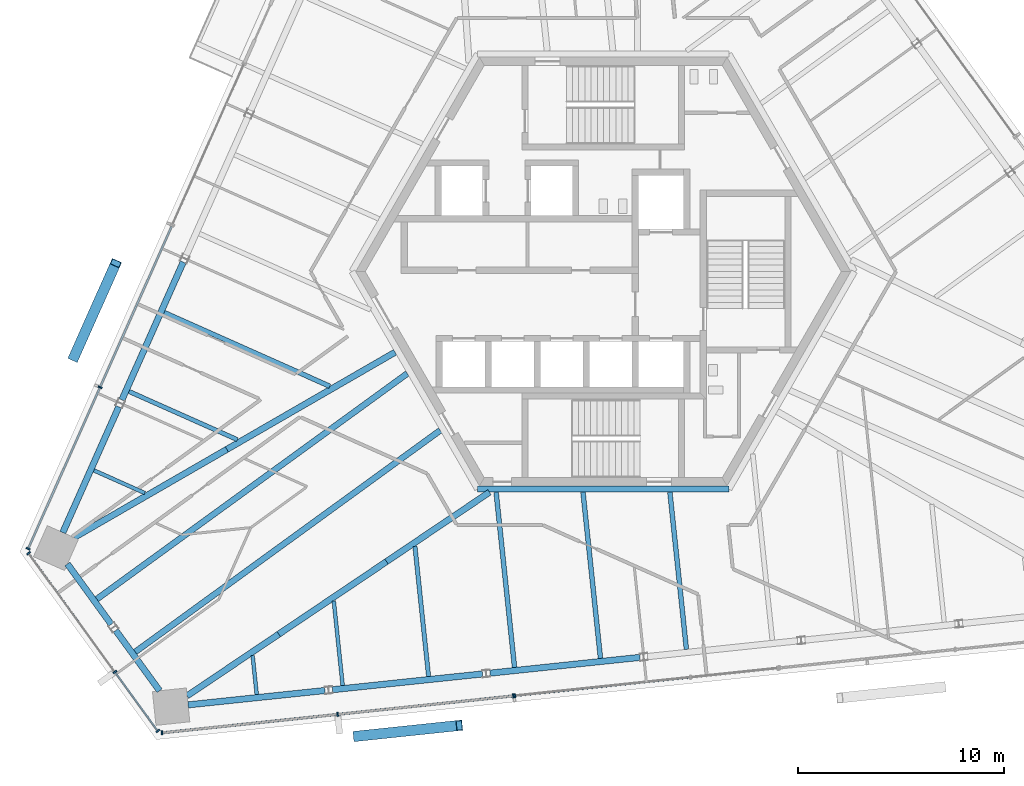
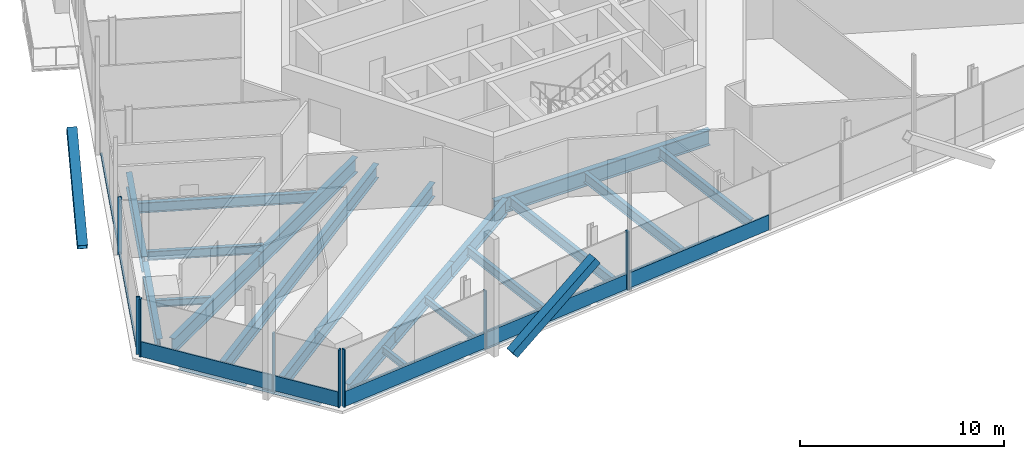
# One storey, part 4 of 20: 24 beams, 18 members, 4 elements without a shape of their own.
"""IFC4 building model written with IfcOpenShell, lengths in metres."""

from ifc_helpers import new_model, si_unit, direction, frame, origin, origin_2d, place, context, subcontext, project, spatial, rectangle, hollow_rectangle, i_section, extrude, source, transform, mapped, material, material_profile, profile_set, type_object, element, aggregate, save


model = new_model("IFC4")

# Units and contexts
model_context = context("Model", 3, precision=1e-05, world=origin(), true_north=direction((0.0, 1.0)))
body_context = subcontext(model_context, "Body", "Model", "MODEL_VIEW")
ifc_project = project(units=[si_unit("LENGTHUNIT", "METRE"), si_unit("AREAUNIT", "SQUARE_METRE"), si_unit("VOLUMEUNIT", "CUBIC_METRE"), si_unit("PLANEANGLEUNIT", "RADIAN"), si_unit("MASSUNIT", "GRAM", prefix="KILO")], contexts=[model_context])

# Site, building, storey
site_placement = place(None, origin())
site = spatial("IfcSite", under=ifc_project, at=site_placement, CompositionType="ELEMENT")
building_placement = place(site_placement, origin())
building = spatial("IfcBuilding", under=site, at=building_placement, Name="Triune Harvest Tower", CompositionType="ELEMENT")
storey_placement = place(building_placement, frame((0.0, 0.0, 226.89990234375)))
storey = spatial("IfcBuildingStorey", under=building, at=storey_placement, Name="L59", CompositionType="ELEMENT", Elevation=226.89990234375)

# Curtain wall, members
ifc_material_1 = material(Name="Aluminium bronze anodised", Category="aluminium")
curtain_wall_type_1 = type_object("IfcCurtainWallType", Name="CW-10 Balcony window wall with insulated spandrel infill", PredefinedType="NOTDEFINED", material=ifc_material_1)
curtain_wall_1_placement = place(storey_placement, origin())
curtain_wall_1 = element("IfcCurtainWall", 1, at=curtain_wall_1_placement, inside=storey, type_object=curtain_wall_type_1, Name="CW-10 B6-F3 L59 run 1002")
ifc_material_2 = material(Name="Aluminium bronze anodised", Category="aluminium")
ifc_material_profile_1 = material_profile(ifc_material_2, rectangle(XDim=0.090087890625, YDim=0.14990234375, at=origin_2d()), Name="TR-6 transom 90 x 150")
ifc_profile_set_1 = profile_set([ifc_material_profile_1], Name="Aluminium bronze anodised")
member_type_1 = type_object("IfcMemberType", Name="TR-6 transom 90 x 150", PredefinedType="USERDEFINED", material=ifc_profile_set_1)
member_1_placement = place(storey_placement, frame((-20.926025390625, 2.18017578125, 0.0751953125), z_axis=(-0.406725361128, -0.913550480606, 0.0), x_axis=(0.913550480606, -0.406725361128, 0.0)))
member_1 = element("IfcMember", 2, at=member_1_placement, type_object=member_type_1, Name="CW-10 transom B6-F3 1002.1", ObjectType="TRANSOM", PredefinedType="USERDEFINED", context=body_context, shape_type="SweptSolid", body=[
    extrude(rectangle(XDim=0.090087890625, YDim=0.14990234375, at=origin_2d()), origin(), (0.0, 0.0, 1.0), 8.489990234375),
])
member_2_placement = place(storey_placement, frame((-24.40966796875, -5.64453125, 0.0751953125), z_axis=(-0.406738674921, -0.913544553004, 0.0), x_axis=(0.913544553004, -0.406738674921, 0.0)))
member_2 = element("IfcMember", 3, at=member_2_placement, type_object=member_type_1, Name="CW-10 transom B6-F3 1002.2", ObjectType="TRANSOM", PredefinedType="USERDEFINED", context=body_context, shape_type="SweptSolid", body=[
    extrude(rectangle(XDim=0.090087890625, YDim=0.14990234375, at=origin_2d()), origin(), (0.0, 0.0, 1.0), 8.490478515625),
])

# Beams
ifc_material_3 = material(Name="Steel ASTM A992 Gr 50", Category="steel")
ifc_material_profile_2 = material_profile(ifc_material_3, i_section(OverallWidth=0.3046875, OverallDepth=0.914306640625, WebThickness=0.0166015625, FlangeThickness=0.02587890625, at=origin_2d()), Name="W36x160")
ifc_profile_set_2 = profile_set([ifc_material_profile_2], Name="Steel ASTM A992 Gr 50")
beam_type_1 = type_object("IfcBeamType", Name="CG-1 Core ring girder W36x160", PredefinedType="BEAM", material=ifc_profile_set_2)
shared_shape_1 = source(origin(), body_context, "Body", "SweptSolid", [
    extrude(i_section(OverallWidth=0.3046875, OverallDepth=0.914306640625, WebThickness=0.0166015625, FlangeThickness=0.02587890625, at=origin_2d()), origin(), (0.0, 0.0, 1.0), 12.17578125),
])
beam_1_placement = place(storey_placement, frame((-6.087890625, -10.544677734375, -0.6171875), z_axis=(1.0, 0.0, 0.0), x_axis=(0.0, 1.0, 0.0)))
element("IfcBeam", 4, at=beam_1_placement, inside=storey, type_object=beam_type_1, Name="beam/L59/CG5", PredefinedType="BEAM", context=body_context, shape_type="MappedRepresentation", body=[
    mapped(shared_shape_1, transform((0.0, 0.0, 0.0), scale=1.0)),
])
ifc_material_4 = material(Name="Steel ASTM A992 Gr 50", Category="steel")
ifc_material_profile_3 = material_profile(ifc_material_4, i_section(OverallWidth=0.3046875, OverallDepth=0.914306640625, WebThickness=0.0166015625, FlangeThickness=0.02587890625, at=origin_2d()), Name="W36x160")
ifc_profile_set_3 = profile_set([ifc_material_profile_3], Name="Steel ASTM A992 Gr 50")
beam_type_2 = type_object("IfcBeamType", Name="HG-3 Hip girder W36x160", PredefinedType="BEAM", material=ifc_profile_set_3)
shared_shape_2 = source(origin(), body_context, "Body", "SweptSolid", [
    extrude(i_section(OverallWidth=0.3046875, OverallDepth=0.914306640625, WebThickness=0.0166015625, FlangeThickness=0.02587890625, at=origin_2d()), origin(), (0.0, 0.0, 1.0), 9.416259765625),
])
beam_2_placement = place(storey_placement, frame((-18.247802734375, -8.62060546875, -0.6171875), z_axis=(0.866032742664, 0.499987288472, 0.0), x_axis=(-0.499987288472, 0.866032742664, 0.0)))
element("IfcBeam", 5, at=beam_2_placement, inside=storey, type_object=beam_type_2, Name="beam/L59/HG6", PredefinedType="BEAM", context=body_context, shape_type="MappedRepresentation", body=[
    mapped(shared_shape_2, transform((0.0, 0.0, 0.0), scale=1.0)),
])
shared_shape_3 = source(origin(), body_context, "Body", "SweptSolid", [
    extrude(i_section(OverallWidth=0.3046875, OverallDepth=0.914306640625, WebThickness=0.0166015625, FlangeThickness=0.02587890625, at=origin_2d()), origin(), (0.0, 0.0, 1.0), 6.293701171875),
])
beam_3_placement = place(storey_placement, frame((-15.72802734375, -17.576904296875, -0.6171875), z_axis=(0.829391075311, 0.558668456416, 0.0), x_axis=(-0.558668456416, 0.829391075311, 0.0)))
element("IfcBeam", 6, at=beam_3_placement, inside=storey, type_object=beam_type_2, Name="beam/L59/HG8", PredefinedType="BEAM", context=body_context, shape_type="MappedRepresentation", body=[
    mapped(shared_shape_3, transform((0.0, 0.0, 0.0), scale=1.0)),
])
shared_shape_4 = source(origin(), body_context, "Body", "SweptSolid", [
    extrude(i_section(OverallWidth=0.3046875, OverallDepth=0.914306640625, WebThickness=0.0166015625, FlangeThickness=0.02587890625, at=origin_2d()), origin(), (0.0, 0.0, 1.0), 6.02099609375),
])
beam_4_placement = place(storey_placement, frame((-10.508056640625, -14.060791015625, -0.6171875), z_axis=(0.829383245618, 0.558680080088, 0.0), x_axis=(-0.558680080088, 0.829383245618, 0.0)))
element("IfcBeam", 7, at=beam_4_placement, inside=storey, type_object=beam_type_2, Name="beam/L59/HG9", PredefinedType="BEAM", context=body_context, shape_type="MappedRepresentation", body=[
    mapped(shared_shape_4, transform((0.0, 0.0, 0.0), scale=1.0)),
])
ifc_material_5 = material(Name="Steel ASTM A992 Gr 50", Category="steel")
ifc_material_profile_4 = material_profile(ifc_material_5, i_section(OverallWidth=0.3046875, OverallDepth=0.914306640625, WebThickness=0.0166015625, FlangeThickness=0.02587890625, at=origin_2d()), Name="W36x160")
ifc_profile_set_4 = profile_set([ifc_material_profile_4], Name="Steel ASTM A992 Gr 50")
beam_type_3 = type_object("IfcBeamType", Name="SB-1 Spandrel beam W36x160", PredefinedType="SPANDREL", material=ifc_profile_set_4)
shared_shape_5 = source(origin(), body_context, "Body", "SweptSolid", [
    extrude(i_section(OverallWidth=0.3046875, OverallDepth=0.914306640625, WebThickness=0.0166015625, FlangeThickness=0.02587890625, at=origin_2d()), origin(), (0.0, 0.0, 1.0), 6.67041015625),
])
beam_5_placement = place(storey_placement, frame((-20.127685546875, -21.007080078125, -0.6171875), z_axis=(0.994521485501, 0.104532362822, 0.0), x_axis=(-0.104532362822, 0.994521485501, 0.0)))
element("IfcBeam", 8, at=beam_5_placement, inside=storey, type_object=beam_type_3, Name="beam/L59/SB17", PredefinedType="SPANDREL", context=body_context, shape_type="MappedRepresentation", body=[
    mapped(shared_shape_5, transform((0.0, 0.0, 0.0), scale=1.0)),
])
shared_shape_6 = source(origin(), body_context, "Body", "SweptSolid", [
    extrude(i_section(OverallWidth=0.3046875, OverallDepth=0.914306640625, WebThickness=0.0166015625, FlangeThickness=0.02587890625, at=origin_2d()), origin(), (0.0, 0.0, 1.0), 7.31103515625),
])
beam_6_placement = place(storey_placement, frame((-13.127685546875, -20.271240234375, -0.6171875), z_axis=(0.994522639393, 0.104521384101, 0.0), x_axis=(-0.104521384101, 0.994522639393, 0.0)))
element("IfcBeam", 9, at=beam_6_placement, inside=storey, type_object=beam_type_3, Name="beam/L59/SB18", PredefinedType="SPANDREL", context=body_context, shape_type="MappedRepresentation", body=[
    mapped(shared_shape_6, transform((0.0, 0.0, 0.0), scale=1.0)),
])
shared_shape_7 = source(origin(), body_context, "Body", "SweptSolid", [
    extrude(i_section(OverallWidth=0.3046875, OverallDepth=0.914306640625, WebThickness=0.0166015625, FlangeThickness=0.02587890625, at=origin_2d()), origin(), (0.0, 0.0, 1.0), 3.614990234375),
])
for number, where, z_axis, x_axis, name in (
    (10, (-25.974365234375, -14.175537109375, -0.6171875), (0.587818273033, -0.808993002373, 0.0), (0.808993002373, 0.587818273033, 0.0), "beam/L59/SB15"),
    (11, (-23.633056640625, -17.39794921875, -0.6171875), (0.587818273033, -0.808993002373, 0.0), (0.808993002373, 0.587818273033, 0.0), "beam/L59/SB16"),
):
    element("IfcBeam", number, at=place(storey_placement, frame(where, z_axis=z_axis, x_axis=x_axis)), inside=storey, type_object=beam_type_3, Name=name, PredefinedType="SPANDREL", context=body_context, shape_type="MappedRepresentation", body=[
        mapped(shared_shape_7, transform((0.0, 0.0, 0.0), scale=1.0)),
    ])
shared_shape_8 = source(origin(), body_context, "Body", "SweptSolid", [
    extrude(i_section(OverallWidth=0.3046875, OverallDepth=0.914306640625, WebThickness=0.0166015625, FlangeThickness=0.02587890625, at=origin_2d()), origin(), (0.0, 0.0, 1.0), 6.670166015625),
])
beam_7_placement = place(storey_placement, frame((-23.485595703125, -6.5576171875, -0.6171875), z_axis=(-0.406722507275, -0.913551751176, 0.0), x_axis=(0.913551751176, -0.406722507275, 0.0)))
element("IfcBeam", 12, at=beam_7_placement, inside=storey, type_object=beam_type_3, Name="beam/L59/SB14", PredefinedType="SPANDREL", context=body_context, shape_type="MappedRepresentation", body=[
    mapped(shared_shape_8, transform((0.0, 0.0, 0.0), scale=1.0)),
])
shared_shape_9 = source(origin(), body_context, "Body", "SweptSolid", [
    extrude(i_section(OverallWidth=0.3046875, OverallDepth=0.914306640625, WebThickness=0.0166015625, FlangeThickness=0.02587890625, at=origin_2d()), origin(), (0.0, 0.0, 1.0), 7.311279296875),
])
for number, where, z_axis, x_axis, name in (
    (13, (-20.362060546875, 0.4580078125, -0.6171875), (-0.406720859208, -0.91355248491, 0.0), (0.91355248491, -0.406720859208, 0.0), "beam/L59/SB13"),
    (14, (-5.490478515625, -19.468505859375, -0.6171875), (0.994519532674, 0.104550940362, 0.0), (-0.104550940362, 0.994519532674, 0.0), "beam/L59/SB19"),
):
    element("IfcBeam", number, at=place(storey_placement, frame(where, z_axis=z_axis, x_axis=x_axis)), inside=storey, type_object=beam_type_3, Name=name, PredefinedType="SPANDREL", context=body_context, shape_type="MappedRepresentation", body=[
        mapped(shared_shape_9, transform((0.0, 0.0, 0.0), scale=1.0)),
    ])
shared_shape_10 = source(origin(), body_context, "Body", "SweptSolid", [
    extrude(i_section(OverallWidth=0.3046875, OverallDepth=0.914306640625, WebThickness=0.0166015625, FlangeThickness=0.02587890625, at=origin_2d()), origin(), (0.0, 0.0, 1.0), 8.548583984375),
])
beam_8_placement = place(storey_placement, frame((-25.651123046875, -12.89501953125, -0.6171875), z_axis=(0.866020080793, 0.500009219579, 0.0), x_axis=(-0.500009219579, 0.866020080793, 0.0)))
element("IfcBeam", 15, at=beam_8_placement, inside=storey, type_object=beam_type_2, Name="beam/L59/HG5", PredefinedType="BEAM", context=body_context, shape_type="MappedRepresentation", body=[
    mapped(shared_shape_10, transform((0.0, 0.0, 0.0), scale=1.0)),
])
shared_shape_11 = source(origin(), body_context, "Body", "SweptSolid", [
    extrude(i_section(OverallWidth=0.3046875, OverallDepth=0.914306640625, WebThickness=0.0166015625, FlangeThickness=0.02587890625, at=origin_2d()), origin(), (0.0, 0.0, 1.0), 5.35986328125),
])
beam_9_placement = place(storey_placement, frame((-20.173583984375, -20.5712890625, -0.6171875), z_axis=(0.829399024376, 0.558656655169, 0.0), x_axis=(-0.558656655169, 0.829399024376, 0.0)))
element("IfcBeam", 16, at=beam_9_placement, inside=storey, type_object=beam_type_2, Name="beam/L59/HG7", PredefinedType="BEAM", context=body_context, shape_type="MappedRepresentation", body=[
    mapped(shared_shape_11, transform((0.0, 0.0, 0.0), scale=1.0)),
])
ifc_material_6 = material(Name="Steel ASTM A992 Gr 50", Category="steel")
ifc_material_profile_5 = material_profile(ifc_material_6, i_section(OverallWidth=0.2099609375, OverallDepth=0.535888671875, WebThickness=0.010986328125, FlangeThickness=0.017333984375, at=origin_2d()), Name="W21x68")
ifc_profile_set_5 = profile_set([ifc_material_profile_5], Name="Steel ASTM A992 Gr 50")
beam_type_4 = type_object("IfcBeamType", Name="JT-2 Floor joist W21x68", PredefinedType="JOIST", material=ifc_profile_set_5)
shared_shape_12 = source(origin(), body_context, "Body", "SweptSolid", [
    extrude(i_section(OverallWidth=0.2099609375, OverallDepth=0.535888671875, WebThickness=0.010986328125, FlangeThickness=0.017333984375, at=origin_2d()), origin(), (0.0, 0.0, 1.0), 6.346435546875),
])
beam_10_placement = place(storey_placement, frame((-8.466552734375, -19.628173828125, -0.427978515625), z_axis=(-0.104518578592, 0.99452293424, 0.0), x_axis=(-0.99452293424, -0.104518578592, 0.0)))
element("IfcBeam", 17, at=beam_10_placement, inside=storey, type_object=beam_type_4, Name="beam/L59/JT27", PredefinedType="JOIST", context=body_context, shape_type="MappedRepresentation", body=[
    mapped(shared_shape_12, transform((0.0, 0.0, 0.0), scale=1.0)),
])
ifc_material_7 = material(Name="Steel ASTM A992 Gr 50", Category="steel")
ifc_material_profile_6 = material_profile(ifc_material_7, i_section(OverallWidth=0.22900390625, OverallDepth=0.612060546875, WebThickness=0.011962890625, FlangeThickness=0.01953125, at=origin_2d()), Name="W24x84")
ifc_profile_set_6 = profile_set([ifc_material_profile_6], Name="Steel ASTM A992 Gr 50")
beam_type_5 = type_object("IfcBeamType", Name="JT-3 Floor joist W24x84", PredefinedType="JOIST", material=ifc_profile_set_6)
shared_shape_13 = source(origin(), body_context, "Body", "SweptSolid", [
    extrude(i_section(OverallWidth=0.22900390625, OverallDepth=0.612060546875, WebThickness=0.011962890625, FlangeThickness=0.01953125, at=origin_2d()), origin(), (0.0, 0.0, 1.0), 8.099609375),
])
beam_11_placement = place(storey_placement, frame((-0.135009765625, -18.752197265625, -0.466064453125), z_axis=(-0.104534153452, 0.994521297289, 0.0), x_axis=(-0.994521297289, -0.104534153452, 0.0)))
element("IfcBeam", 18, at=beam_11_placement, inside=storey, type_object=beam_type_5, Name="beam/L59/JT29", PredefinedType="JOIST", context=body_context, shape_type="MappedRepresentation", body=[
    mapped(shared_shape_13, transform((0.0, 0.0, 0.0), scale=1.0)),
])
shared_shape_14 = source(origin(), body_context, "Body", "SweptSolid", [
    extrude(i_section(OverallWidth=0.22900390625, OverallDepth=0.612060546875, WebThickness=0.011962890625, FlangeThickness=0.01953125, at=origin_2d()), origin(), (0.0, 0.0, 1.0), 7.659423828125),
])
beam_12_placement = place(storey_placement, frame((4.031005859375, -18.314453125, -0.466064453125), z_axis=(-0.104548726976, 0.994519765358, 0.0), x_axis=(-0.994519765358, -0.104548726976, 0.0)))
element("IfcBeam", 19, at=beam_12_placement, inside=storey, type_object=beam_type_5, Name="beam/L59/JT30", PredefinedType="JOIST", context=body_context, shape_type="MappedRepresentation", body=[
    mapped(shared_shape_14, transform((0.0, 0.0, 0.0), scale=1.0)),
])
shared_shape_15 = source(origin(), body_context, "Body", "SweptSolid", [
    extrude(i_section(OverallWidth=0.22900390625, OverallDepth=0.612060546875, WebThickness=0.011962890625, FlangeThickness=0.01953125, at=origin_2d()), origin(), (0.0, 0.0, 1.0), 8.789306640625),
])
beam_13_placement = place(storey_placement, frame((-21.28369140625, -1.98681640625, -0.466064453125), z_axis=(0.913542165142, -0.406744038074, 0.0), x_axis=(0.406744038074, 0.913542165142, 0.0)))
element("IfcBeam", 20, at=beam_13_placement, inside=storey, type_object=beam_type_5, Name="beam/L59/JT20", PredefinedType="JOIST", context=body_context, shape_type="MappedRepresentation", body=[
    mapped(shared_shape_15, transform((0.0, 0.0, 0.0), scale=1.0)),
])
shared_shape_16 = source(origin(), body_context, "Body", "SweptSolid", [
    extrude(i_section(OverallWidth=0.2099609375, OverallDepth=0.535888671875, WebThickness=0.010986328125, FlangeThickness=0.017333984375, at=origin_2d()), origin(), (0.0, 0.0, 1.0), 5.745849609375),
])
beam_14_placement = place(storey_placement, frame((-22.987548828125, -5.8134765625, -0.427978515625), z_axis=(0.913552037091, -0.406721865071, 0.0), x_axis=(0.406721865071, 0.913552037091, 0.0)))
element("IfcBeam", 21, at=beam_14_placement, inside=storey, type_object=beam_type_4, Name="beam/L59/JT21", PredefinedType="JOIST", context=body_context, shape_type="MappedRepresentation", body=[
    mapped(shared_shape_16, transform((0.0, 0.0, 0.0), scale=1.0)),
])
ifc_material_8 = material(Name="Steel ASTM A992 Gr 50", Category="steel")
ifc_material_profile_7 = material_profile(ifc_material_8, i_section(OverallWidth=0.2919921875, OverallDepth=0.8408203125, WebThickness=0.0146484375, FlangeThickness=0.021728515625, at=origin_2d()), Name="W33x130")
ifc_profile_set_7 = profile_set([ifc_material_profile_7], Name="Steel ASTM A992 Gr 50")
beam_type_6 = type_object("IfcBeamType", Name="JT-6 Floor joist W33x130", PredefinedType="JOIST", material=ifc_profile_set_7)
shared_shape_17 = source(origin(), body_context, "Body", "SweptSolid", [
    extrude(i_section(OverallWidth=0.2919921875, OverallDepth=0.8408203125, WebThickness=0.0146484375, FlangeThickness=0.021728515625, at=origin_2d()), origin(), (0.0, 0.0, 1.0), 18.27099609375),
])
beam_15_placement = place(storey_placement, frame((-22.68701171875, -18.44091796875, -0.580322265625), z_axis=(0.809013927609, 0.587789473311, 0.0), x_axis=(-0.587789473311, 0.809013927609, 0.0)))
element("IfcBeam", 22, at=beam_15_placement, inside=storey, type_object=beam_type_6, Name="beam/L59/JT24", PredefinedType="JOIST", context=body_context, shape_type="MappedRepresentation", body=[
    mapped(shared_shape_17, transform((0.0, 0.0, 0.0), scale=1.0)),
])
ifc_material_9 = material(Name="Steel ASTM A992 Gr 50", Category="steel")
ifc_material_profile_8 = material_profile(ifc_material_9, i_section(OverallWidth=0.180908203125, OverallDepth=0.41650390625, WebThickness=0.010986328125, FlangeThickness=0.01806640625, at=origin_2d()), Name="W16x57")
ifc_profile_set_8 = profile_set([ifc_material_profile_8], Name="Steel ASTM A992 Gr 50")
beam_type_7 = type_object("IfcBeamType", Name="JT-1 Floor joist W16x57", PredefinedType="JOIST", material=ifc_profile_set_8)
shared_shape_18 = source(origin(), body_context, "Body", "SweptSolid", [
    extrude(i_section(OverallWidth=0.180908203125, OverallDepth=0.41650390625, WebThickness=0.010986328125, FlangeThickness=0.01806640625, at=origin_2d()), origin(), (0.0, 0.0, 1.0), 1.899169921875),
])
beam_16_placement = place(storey_placement, frame((-16.79833984375, -20.50390625, -0.3681640625), z_axis=(-0.104517481806, 0.994523049505, 0.0), x_axis=(-0.994523049505, -0.104517481806, 0.0)))
element("IfcBeam", 23, at=beam_16_placement, inside=storey, type_object=beam_type_7, Name="beam/L59/JT25", PredefinedType="JOIST", context=body_context, shape_type="MappedRepresentation", body=[
    mapped(shared_shape_18, transform((0.0, 0.0, 0.0), scale=1.0)),
])
shared_shape_19 = source(origin(), body_context, "Body", "SweptSolid", [
    extrude(i_section(OverallWidth=0.180908203125, OverallDepth=0.41650390625, WebThickness=0.010986328125, FlangeThickness=0.01806640625, at=origin_2d()), origin(), (0.0, 0.0, 1.0), 4.12255859375),
])
beam_17_placement = place(storey_placement, frame((-12.632568359375, -20.06591796875, -0.3681640625), z_axis=(-0.104521403768, 0.994522637326, 0.0), x_axis=(-0.994522637326, -0.104521403768, 0.0)))
element("IfcBeam", 24, at=beam_17_placement, inside=storey, type_object=beam_type_7, Name="beam/L59/JT26", PredefinedType="JOIST", context=body_context, shape_type="MappedRepresentation", body=[
    mapped(shared_shape_19, transform((0.0, 0.0, 0.0), scale=1.0)),
])
shared_shape_20 = source(origin(), body_context, "Body", "SweptSolid", [
    extrude(i_section(OverallWidth=0.180908203125, OverallDepth=0.41650390625, WebThickness=0.010986328125, FlangeThickness=0.01806640625, at=origin_2d()), origin(), (0.0, 0.0, 1.0), 2.702392578125),
])
beam_18_placement = place(storey_placement, frame((-24.691162109375, -9.64013671875, -0.3681640625), z_axis=(0.913550575703, -0.406725147529, 0.0), x_axis=(0.406725147529, 0.913550575703, 0.0)))
element("IfcBeam", 25, at=beam_18_placement, inside=storey, type_object=beam_type_7, Name="beam/L59/JT22", PredefinedType="JOIST", context=body_context, shape_type="MappedRepresentation", body=[
    mapped(shared_shape_20, transform((0.0, 0.0, 0.0), scale=1.0)),
])
shared_shape_21 = source(origin(), body_context, "Body", "SweptSolid", [
    extrude(i_section(OverallWidth=0.2919921875, OverallDepth=0.8408203125, WebThickness=0.0146484375, FlangeThickness=0.021728515625, at=origin_2d()), origin(), (0.0, 0.0, 1.0), 18.603515625),
])
beam_19_placement = place(storey_placement, frame((-24.548828125, -15.8779296875, -0.580322265625), z_axis=(0.809011797406, 0.58779240524, 0.0), x_axis=(-0.58779240524, 0.809011797406, 0.0)))
element("IfcBeam", 26, at=beam_19_placement, inside=storey, type_object=beam_type_6, Name="beam/L59/JT23", PredefinedType="JOIST", context=body_context, shape_type="MappedRepresentation", body=[
    mapped(shared_shape_21, transform((0.0, 0.0, 0.0), scale=1.0)),
])
shared_shape_22 = source(origin(), body_context, "Body", "SweptSolid", [
    extrude(i_section(OverallWidth=0.22900390625, OverallDepth=0.612060546875, WebThickness=0.011962890625, FlangeThickness=0.01953125, at=origin_2d()), origin(), (0.0, 0.0, 1.0), 8.5400390625),
])
beam_20_placement = place(storey_placement, frame((-4.30078125, -19.190185546875, -0.466064453125), z_axis=(-0.104546386162, 0.994520011433, 0.0), x_axis=(-0.994520011433, -0.104546386162, 0.0)))
element("IfcBeam", 27, at=beam_20_placement, inside=storey, type_object=beam_type_5, Name="beam/L59/JT28", PredefinedType="JOIST", context=body_context, shape_type="MappedRepresentation", body=[
    mapped(shared_shape_22, transform((0.0, 0.0, 0.0), scale=1.0)),
])

# Members
ifc_material_10 = material(Name="Steel ASTM A572 Gr 50", Category="steel")
ifc_material_profile_9 = material_profile(ifc_material_10, hollow_rectangle(XDim=0.5, YDim=0.5, WallThickness=0.030029296875, at=origin_2d()), Name="Box 500x500x30")
ifc_profile_set_9 = profile_set([ifc_material_profile_9], Name="Steel ASTM A572 Gr 50")
member_type_2 = type_object("IfcMemberType", Name="BR-3 Brace Box 500x500x30", PredefinedType="BRACE", material=ifc_profile_set_9)
shared_shape_23 = source(origin(), body_context, "Body", "SweptSolid", [
    extrude(hollow_rectangle(XDim=0.5, YDim=0.5, WallThickness=0.030029296875, at=origin_2d()), origin(), (0.0, 0.0, 1.0), 6.1708984375),
])
member_3_placement = place(storey_placement, frame((-25.670166015625, -4.17333984375, 0.0), z_axis=(0.330352036276, 0.741966717165, 0.583397739752), x_axis=(-0.913542177249, 0.406744010879, 0.0)))
element("IfcMember", 28, at=member_3_placement, inside=storey, type_object=member_type_2, Name="brace/B6-F3/d2/3", PredefinedType="BRACE", context=body_context, shape_type="MappedRepresentation", body=[
    mapped(shared_shape_23, transform((0.0, 0.0, 0.0), scale=1.0)),
])
shared_shape_24 = source(origin(), body_context, "Body", "SweptSolid", [
    extrude(hollow_rectangle(XDim=0.5, YDim=0.5, WallThickness=0.030029296875, at=origin_2d()), origin(), (0.0, 0.0, 1.0), 6.171142578125),
])
member_4_placement = place(storey_placement, frame((-11.96435546875, -22.527587890625, 0.0), z_axis=(0.807744891482, 0.084900844253, 0.58338669588), x_axis=(-0.104532646515, 0.994521455682, 0.0)))
element("IfcMember", 29, at=member_4_placement, inside=storey, type_object=member_type_2, Name="brace/B6-F5/d1/3", PredefinedType="BRACE", context=body_context, shape_type="MappedRepresentation", body=[
    mapped(shared_shape_24, transform((0.0, 0.0, 0.0), scale=1.0)),
])

# Curtain wall, members
ifc_material_11 = material(Name="Aluminium bronze anodised", Category="aluminium")
curtain_wall_type_2 = type_object("IfcCurtainWallType", Name="CW-1 Tower stick curtain wall", PredefinedType="NOTDEFINED", material=ifc_material_11)
curtain_wall_2_placement = place(storey_placement, origin())
curtain_wall_2 = element("IfcCurtainWall", 30, at=curtain_wall_2_placement, inside=storey, type_object=curtain_wall_type_2, Name="CW-1 B6-F4 L59 run 1")
ifc_material_12 = material(Name="Aluminium bronze anodised", Category="aluminium")
ifc_material_profile_10 = material_profile(ifc_material_12, rectangle(XDim=0.199951171875, YDim=0.074951171875, at=origin_2d()), Name="MU-1 mullion 75 x 200")
ifc_profile_set_10 = profile_set([ifc_material_profile_10], Name="Aluminium bronze anodised")
member_type_3 = type_object("IfcMemberType", Name="MU-1 mullion 75 x 200", PredefinedType="MULLION", material=ifc_profile_set_10)
shared_shape_25 = source(origin(), body_context, "Body", "SweptSolid", [
    extrude(rectangle(XDim=0.199951171875, YDim=0.074951171875, at=origin_2d()), origin(), (0.0, 0.0, 1.0), 3.440185546875),
])
member_5_placement = place(storey_placement, frame((-27.855224609375, -13.654541015625, 0.0), z_axis=(0.0, 0.0, 1.0), x_axis=(0.809014317982, 0.587788936013, 0.0)))
member_5 = element("IfcMember", 31, at=member_5_placement, type_object=member_type_3, Name="CW-1 mullion B6-F4 1.1", PredefinedType="MULLION", context=body_context, shape_type="MappedRepresentation", body=[
    mapped(shared_shape_25, transform((0.0, 0.0, 0.0), scale=1.0)),
])
member_6_placement = place(storey_placement, frame((-23.673828125, -19.409912109375, 0.0), z_axis=(0.0, 0.0, 1.0), x_axis=(0.809014317982, 0.587788936013, 0.0)))
member_6 = element("IfcMember", 32, at=member_6_placement, type_object=member_type_3, Name="CW-1 mullion B6-F4 1.3", PredefinedType="MULLION", context=body_context, shape_type="MappedRepresentation", body=[
    mapped(shared_shape_25, transform((0.0, 0.0, 0.0), scale=1.0)),
])
member_7_placement = place(storey_placement, frame((-21.593994140625, -22.272216796875, 0.0), z_axis=(0.0, 0.0, 1.0), x_axis=(0.809014317982, 0.587788936013, 0.0)))
member_7 = element("IfcMember", 33, at=member_7_placement, type_object=member_type_3, Name="CW-1 mullion B6-F4 1.4", PredefinedType="MULLION", context=body_context, shape_type="MappedRepresentation", body=[
    mapped(shared_shape_25, transform((0.0, 0.0, 0.0), scale=1.0)),
])

ifc_material_13 = material(Name="Aluminium bronze anodised", Category="aluminium")
curtain_wall_type_3 = type_object("IfcCurtainWallType", Name="CW-7 Tower stick curtain wall with insulated spandrel infill", PredefinedType="NOTDEFINED", material=ifc_material_13)
curtain_wall_3_placement = place(storey_placement, origin())
curtain_wall_3 = element("IfcCurtainWall", 34, at=curtain_wall_3_placement, inside=storey, type_object=curtain_wall_type_3, Name="CW-7 B6-F5 L59 run 1")
member_8_placement = place(storey_placement, frame((-21.392333984375, -22.362060546875, 0.0), z_axis=(0.0, 0.0, 1.0), x_axis=(-0.104527917264, 0.994521952755, 0.0)))
member_8 = element("IfcMember", 35, at=member_8_placement, type_object=member_type_3, Name="CW-7 mullion B6-F5 1.1", PredefinedType="MULLION", context=body_context, shape_type="MappedRepresentation", body=[
    mapped(shared_shape_25, transform((0.0, 0.0, 0.0), scale=1.0)),
])
member_9_placement = place(storey_placement, frame((-12.876708984375, -21.467041015625, 0.0), z_axis=(0.0, 0.0, 1.0), x_axis=(-0.104527917264, 0.994521952755, 0.0)))
member_9 = element("IfcMember", 36, at=member_9_placement, type_object=member_type_3, Name="CW-7 mullion B6-F5 1.3", PredefinedType="MULLION", context=body_context, shape_type="MappedRepresentation", body=[
    mapped(shared_shape_25, transform((0.0, 0.0, 0.0), scale=1.0)),
])
member_10_placement = place(storey_placement, frame((-4.361083984375, -20.572021484375, 0.0), z_axis=(0.0, 0.0, 1.0), x_axis=(-0.104527917264, 0.994521952755, 0.0)))
member_10 = element("IfcMember", 37, at=member_10_placement, type_object=member_type_3, Name="CW-7 mullion B6-F5 1.5", PredefinedType="MULLION", context=body_context, shape_type="MappedRepresentation", body=[
    mapped(shared_shape_25, transform((0.0, 0.0, 0.0), scale=1.0)),
])

# Curtain wall, member
curtain_wall_4_placement = place(storey_placement, origin())
curtain_wall_4 = element("IfcCurtainWall", 38, at=curtain_wall_4_placement, inside=storey, type_object=curtain_wall_type_2, Name="CW-1 B6-F5 L59 run 1001")
member_11_placement = place(storey_placement, frame((-4.286376953125, -20.564208984375, 0.0), z_axis=(0.0, 0.0, 1.0), x_axis=(-0.104535075084, 0.994521200416, 0.0)))
member_11 = element("IfcMember", 39, at=member_11_placement, type_object=member_type_3, Name="CW-1 mullion B6-F5 1001.1", PredefinedType="MULLION", context=body_context, shape_type="MappedRepresentation", body=[
    mapped(shared_shape_25, transform((0.0, 0.0, 0.0), scale=1.0)),
])

# Member
ifc_material_14 = material(Name="Aluminium bronze anodised", Category="aluminium")
ifc_material_profile_11 = material_profile(ifc_material_14, rectangle(XDim=0.199951171875, YDim=0.074951171875, at=origin_2d()), Name="MU-6 mullion 75 x 200")
ifc_profile_set_11 = profile_set([ifc_material_profile_11], Name="Aluminium bronze anodised")
member_type_4 = type_object("IfcMemberType", Name="MU-6 mullion 75 x 200", PredefinedType="MULLION", material=ifc_profile_set_11)
shared_shape_26 = source(origin(), body_context, "Body", "SweptSolid", [
    extrude(rectangle(XDim=0.199951171875, YDim=0.074951171875, at=origin_2d()), origin(), (0.0, 0.0, 1.0), 3.440185546875),
])
member_12_placement = place(storey_placement, frame((-24.39453125, -5.6103515625, 0.0), z_axis=(0.0, 0.0, 1.0), x_axis=(0.913545509699, -0.406736526156, 0.0)))
member_12 = element("IfcMember", 40, at=member_12_placement, type_object=member_type_4, Name="CW-10 mullion B6-F3 1002.3", PredefinedType="MULLION", context=body_context, shape_type="MappedRepresentation", body=[
    mapped(shared_shape_26, transform((0.0, 0.0, 0.0), scale=1.0)),
])

member_13_placement = place(storey_placement, frame((-27.878173828125, -13.43505859375, 0.0), z_axis=(0.0, 0.0, 1.0), x_axis=(0.913545509699, -0.406736526156, 0.0)))
member_13 = element("IfcMember", 41, at=member_13_placement, type_object=member_type_4, Name="CW-10 mullion B6-F3 1002.5", PredefinedType="MULLION", context=body_context, shape_type="MappedRepresentation", body=[
    mapped(shared_shape_26, transform((0.0, 0.0, 0.0), scale=1.0)),
])

aggregate(curtain_wall_1, [member_12, member_13, member_1, member_2])

ifc_material_15 = material(Name="Aluminium bronze anodised", Category="aluminium")
ifc_material_profile_12 = material_profile(ifc_material_15, rectangle(XDim=0.090087890625, YDim=0.89990234375, at=origin_2d()), Name="TR-1 transom 90 x 900")
ifc_profile_set_12 = profile_set([ifc_material_profile_12], Name="Aluminium bronze anodised")
member_type_5 = type_object("IfcMemberType", Name="TR-1 transom 90 x 900", PredefinedType="USERDEFINED", material=ifc_profile_set_12)
shared_shape_27 = source(origin(), body_context, "Body", "SweptSolid", [
    extrude(rectangle(XDim=0.090087890625, YDim=0.89990234375, at=origin_2d()), origin(), (0.0, 0.0, 1.0), 7.03857421875),
])
member_14_placement = place(storey_placement, frame((-27.8330078125, -13.68505859375, 0.4501953125), z_axis=(0.587788023707, -0.809014980817, 0.0), x_axis=(0.809014980817, 0.587788023707, 0.0)))
member_14 = element("IfcMember", 42, at=member_14_placement, type_object=member_type_5, Name="CW-1 transom B6-F4 1.1", ObjectType="TRANSOM", PredefinedType="USERDEFINED", context=body_context, shape_type="MappedRepresentation", body=[
    mapped(shared_shape_27, transform((0.0, 0.0, 0.0), scale=1.0)),
])

shared_shape_28 = source(origin(), body_context, "Body", "SweptSolid", [
    extrude(rectangle(XDim=0.090087890625, YDim=0.89990234375, at=origin_2d()), origin(), (0.0, 0.0, 1.0), 3.463134765625),
])
member_15_placement = place(storey_placement, frame((-23.651611328125, -19.440185546875, 0.4501953125), z_axis=(0.58779438563, -0.809010358538, 0.0), x_axis=(0.809010358538, 0.58779438563, 0.0)))
member_15 = element("IfcMember", 43, at=member_15_placement, type_object=member_type_5, Name="CW-1 transom B6-F4 1.2", ObjectType="TRANSOM", PredefinedType="USERDEFINED", context=body_context, shape_type="MappedRepresentation", body=[
    mapped(shared_shape_28, transform((0.0, 0.0, 0.0), scale=1.0)),
])

aggregate(curtain_wall_2, [member_5, member_6, member_7, member_14, member_15])

shared_shape_29 = source(origin(), body_context, "Body", "SweptSolid", [
    extrude(rectangle(XDim=0.090087890625, YDim=0.89990234375, at=origin_2d()), origin(), (0.0, 0.0, 1.0), 8.487548828125),
])
member_16_placement = place(storey_placement, frame((-12.83935546875, -21.463134765625, 0.4501953125), z_axis=(0.994521832377, 0.104529062585, 0.0), x_axis=(-0.104529062585, 0.994521832377, 0.0)))
member_16 = element("IfcMember", 44, at=member_16_placement, type_object=member_type_5, Name="CW-7 transom B6-F5 1.2", ObjectType="TRANSOM", PredefinedType="USERDEFINED", context=body_context, shape_type="MappedRepresentation", body=[
    mapped(shared_shape_29, transform((0.0, 0.0, 0.0), scale=1.0)),
])

shared_shape_30 = source(origin(), body_context, "Body", "SweptSolid", [
    extrude(rectangle(XDim=0.090087890625, YDim=0.89990234375, at=origin_2d()), origin(), (0.0, 0.0, 1.0), 8.4873046875),
])
member_17_placement = place(storey_placement, frame((-21.35498046875, -22.358154296875, 0.4501953125), z_axis=(0.994521518077, 0.104532052892, 0.0), x_axis=(-0.104532052892, 0.994521518077, 0.0)))
member_17 = element("IfcMember", 45, at=member_17_placement, type_object=member_type_5, Name="CW-7 transom B6-F5 1.1", ObjectType="TRANSOM", PredefinedType="USERDEFINED", context=body_context, shape_type="MappedRepresentation", body=[
    mapped(shared_shape_30, transform((0.0, 0.0, 0.0), scale=1.0)),
])

aggregate(curtain_wall_3, [member_8, member_9, member_10, member_17, member_16])

member_18_placement = place(storey_placement, frame((-4.2490234375, -20.560302734375, 0.4501953125), z_axis=(0.994521518077, 0.104532052892, 0.0), x_axis=(-0.104532052892, 0.994521518077, 0.0)))
member_18 = element("IfcMember", 46, at=member_18_placement, type_object=member_type_5, Name="CW-1 transom B6-F5 1001.1", ObjectType="TRANSOM", PredefinedType="USERDEFINED", context=body_context, shape_type="MappedRepresentation", body=[
    mapped(shared_shape_30, transform((0.0, 0.0, 0.0), scale=1.0)),
])

aggregate(curtain_wall_4, [member_11, member_18])

save(model, "model.ifc")
